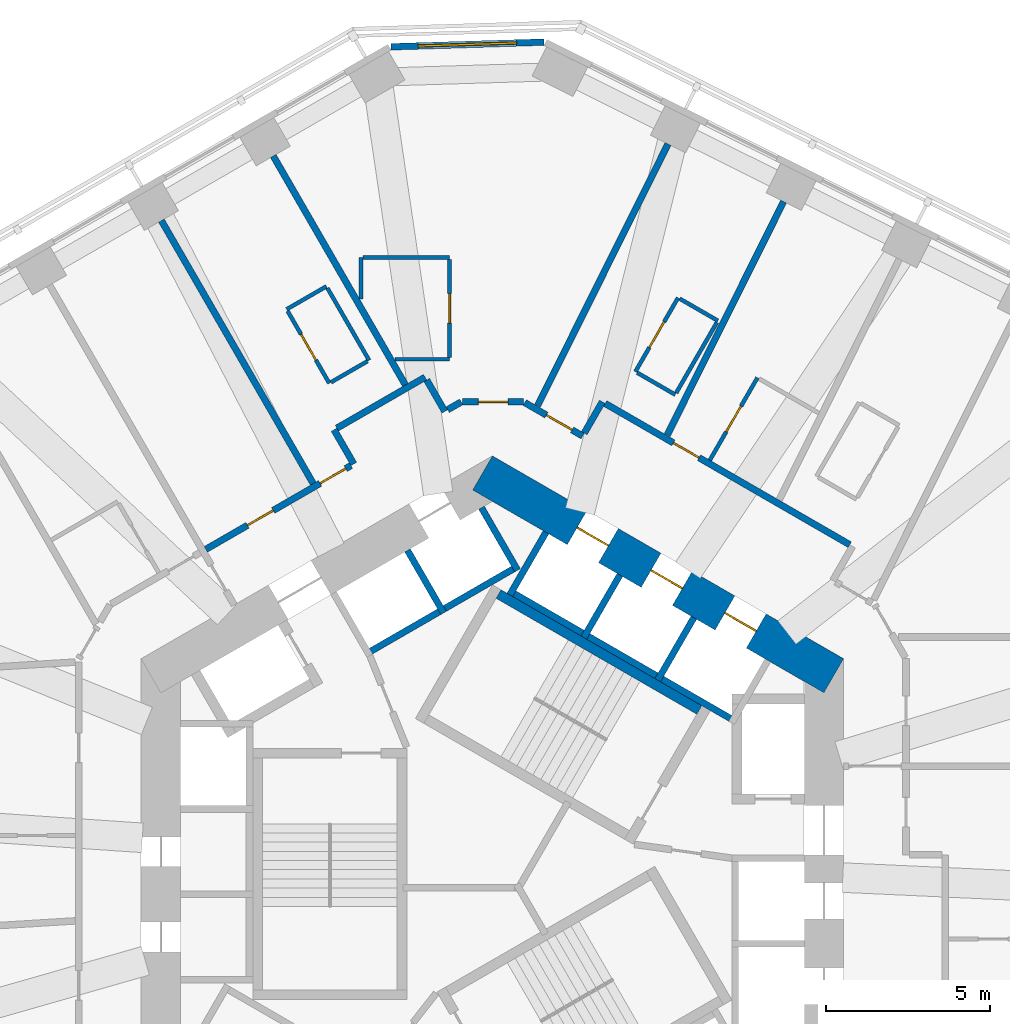
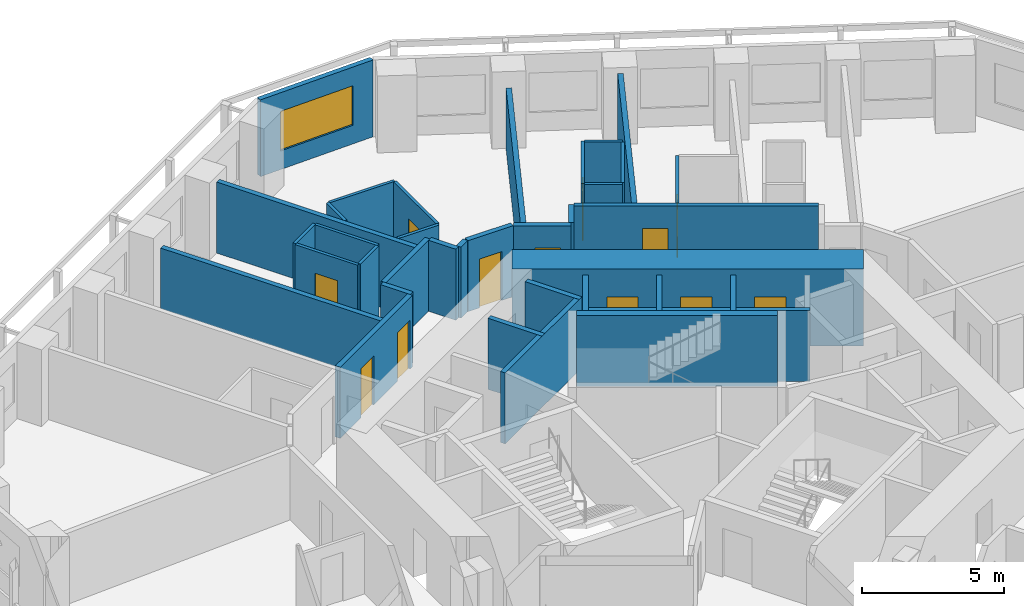
# One storey, part 8 of 12: 36 walls, 12 doors, 1 window, 13 openings.
"""IFC4 building model written with IfcOpenShell, lengths in metres."""

from ifc_helpers import new_model, si_unit, direction, frame, frame_2d, origin, place, context, subcontext, project, spatial, rectangle, extrude, material, layer, layer_set, type_object, element, fill, save


model = new_model("IFC4")

# Units and contexts
model_context = context("Model", 3, precision=1e-05, world=origin(), true_north=direction((0.0, 1.0)))
body_context = subcontext(model_context, "Body", "Model", "MODEL_VIEW")
ifc_project = project(units=[si_unit("LENGTHUNIT", "METRE"), si_unit("AREAUNIT", "SQUARE_METRE"), si_unit("VOLUMEUNIT", "CUBIC_METRE"), si_unit("PLANEANGLEUNIT", "RADIAN"), si_unit("MASSUNIT", "GRAM", prefix="KILO")], contexts=[model_context])

# Site, building, storey
site_placement = place(None, origin())
site = spatial("IfcSite", under=ifc_project, at=site_placement, CompositionType="ELEMENT")
building_placement = place(site_placement, origin())
building = spatial("IfcBuilding", under=site, at=building_placement, Name="Vanh Sen Convention Tower", CompositionType="ELEMENT")
storey_placement = place(building_placement, frame((0.0, 0.0, 70.39990234375)))
storey = spatial("IfcBuildingStorey", under=building, at=storey_placement, Name="L15", CompositionType="ELEMENT", Elevation=70.39990234375)

# Walls
ifc_material_1 = material(Name="Moisture-resistant gypsum board on steel studs", Category="steel")
ifc_layer_1 = layer(ifc_material_1, 0.1201171875)
ifc_layer_set_1 = layer_set([ifc_layer_1], Name="Moisture-resistant gypsum board on steel studs")
wall_type_1 = type_object("IfcWallType", Name="Bathroom partition 120", PredefinedType="PARTITIONING", material=ifc_layer_set_1)
wall_1_placement = place(storey_placement, frame((-6.268310546875, 16.8203125, 0.0), z_axis=(0.0, 0.0, 1.0), x_axis=(0.866002662425, 0.500039387122, 0.0)))
element("IfcWall", 1, at=wall_1_placement, inside=storey, type_object=wall_type_1, Name="Bathroom partition 120", PredefinedType="PARTITIONING", context=body_context, shape_type="SweptSolid", body=[
    extrude(rectangle(XDim=1.400390625, YDim=0.1201171875, at=frame_2d((0.7001953125, 0.0))), origin(), (0.0, 0.0, 1.0), 3.050048828125),
])
wall_2_placement = place(storey_placement, frame((-5.025634765625, 17.468505859375, 0.0), z_axis=(0.0, 0.0, 1.0), x_axis=(0.500005339912, -0.866022320763, 0.0)))
element("IfcWall", 2, at=wall_2_placement, inside=storey, type_object=wall_type_1, Name="Bathroom partition 120", PredefinedType="PARTITIONING", context=body_context, shape_type="SweptSolid", body=[
    extrude(rectangle(XDim=2.5400390625, YDim=0.1201171875, at=frame_2d((1.27001953125, 0.0))), origin(), (0.0, 0.0, 1.0), 3.050048828125),
])

# Wall, opening, door
wall_3_placement = place(storey_placement, frame((-4.96826171875, 14.56884765625, 0.0), z_axis=(0.0, 0.0, 1.0), x_axis=(-0.500046963369, 0.865998287773, 0.0)))
wall_3 = element("IfcWall", 3, at=wall_3_placement, inside=storey, type_object=wall_type_1, Name="Bathroom partition 120", PredefinedType="PARTITIONING", context=body_context, shape_type="SweptSolid", body=[
    extrude(rectangle(XDim=2.539794921875, YDim=0.1201171875, at=frame_2d((1.27001953125, 0.0))), origin(), (0.0, 0.0, 1.0), 3.050048828125),
])
opening_1_placement = place(wall_3_placement, frame((0.820068359375, 0.0, 0.0)))
opening_1 = element("IfcOpeningElement", 4, at=opening_1_placement, cuts=wall_3, Name="Opening D13114", PredefinedType="OPENING", context=body_context, shape_type="SweptSolid", body=[
    extrude(rectangle(XDim=0.89990234375, YDim=2.10009765625, at=frame_2d((0.449951171875, 1.050048828125))), frame((0.0, 0.070068359375, 0.0), z_axis=(0.0, -1.0, 0.0), x_axis=(1.0, 0.0, 0.0)), (0.0, 0.0, 1.0), 0.14013671875),
])
ifc_material_2 = material(Name="Laminate door in steel frame", Category="steel")
door_type_1 = type_object("IfcDoorType", Name="En-suite door 900", OperationType="SINGLE_SWING_LEFT", PredefinedType="DOOR", material=ifc_material_2)
door_1_placement = place(opening_1_placement, origin())
door_1 = element("IfcDoor", 5, at=door_1_placement, inside=storey, type_object=door_type_1, Name="En-suite door D13114", OperationType="SINGLE_SWING_LEFT", OverallHeight=2.10009765625, OverallWidth=0.89990234375, PredefinedType="DOOR", context=body_context, shape_type="SweptSolid", body=[
    extrude(rectangle(XDim=0.89990234375, YDim=2.10009765625, at=frame_2d((0.449951171875, 1.050048828125))), frame((0.0, 0.02490234375, 0.0), z_axis=(0.0, -1.0, 0.0), x_axis=(1.0, 0.0, 0.0)), (0.0, 0.0, 1.0), 0.050048828125),
])
fill(opening_1, door_1)

# Walls
wall_4_placement = place(storey_placement, frame((-4.0, 17.137451171875, 0.0), z_axis=(0.0, 0.0, 1.0), x_axis=(0.0, 1.0, 0.0)))
element("IfcWall", 6, at=wall_4_placement, inside=storey, type_object=wall_type_1, Name="Bathroom partition 120", PredefinedType="PARTITIONING", context=body_context, shape_type="SweptSolid", body=[
    extrude(rectangle(XDim=1.26318359375, YDim=0.1201171875, at=frame_2d((0.631591796875, 0.0))), origin(), (0.0, 0.0, 1.0), 3.050048828125),
])
wall_5_placement = place(storey_placement, frame((-3.93994140625, 18.400634765625, 0.0), z_axis=(0.0, 0.0, 1.0), x_axis=(1.0, 0.0, 0.0)))
element("IfcWall", 7, at=wall_5_placement, inside=storey, type_object=wall_type_1, Name="Bathroom partition 120", PredefinedType="PARTITIONING", context=body_context, shape_type="SweptSolid", body=[
    extrude(rectangle(XDim=2.639892578125, YDim=0.1201171875, at=frame_2d((1.31982421875, 0.0))), origin(), (0.0, 0.0, 1.0), 3.050048828125),
])
wall_6_placement = place(storey_placement, frame((-3.8076171875, 15.23876953125, 0.0), z_axis=(0.0, 0.0, 1.0), x_axis=(-0.866087136806, -0.499893060024, 0.0)))
element("IfcWall", 8, at=wall_6_placement, inside=storey, type_object=wall_type_1, Name="Bathroom partition 120", PredefinedType="PARTITIONING", context=body_context, shape_type="SweptSolid", body=[
    extrude(rectangle(XDim=1.280029296875, YDim=0.1201171875, at=frame_2d((0.64013671875, 0.0))), origin(), (0.0, 0.0, 1.0), 3.050048828125),
])
wall_7_placement = place(storey_placement, frame((-1.300048828125, 15.30078125, 0.0), z_axis=(0.0, 0.0, 1.0), x_axis=(-1.0, 0.0, 0.0)))
element("IfcWall", 9, at=wall_7_placement, inside=storey, type_object=wall_type_1, Name="Bathroom partition 120", PredefinedType="PARTITIONING", context=body_context, shape_type="SweptSolid", body=[
    extrude(rectangle(XDim=1.6611328125, YDim=0.1201171875, at=frame_2d((0.83056640625, 0.0))), origin(), (0.0, 0.0, 1.0), 3.050048828125),
])

# Wall, opening, door
wall_8_placement = place(storey_placement, frame((-1.300048828125, 18.3408203125, 0.0), z_axis=(0.0, 0.0, 1.0), x_axis=(0.0, -1.0, 0.0)))
wall_8 = element("IfcWall", 10, at=wall_8_placement, inside=storey, type_object=wall_type_1, Name="Bathroom partition 120", PredefinedType="PARTITIONING", context=body_context, shape_type="SweptSolid", body=[
    extrude(rectangle(XDim=2.980224609375, YDim=0.1201171875, at=frame_2d((1.490234375, 0.0))), origin(), (0.0, 0.0, 1.0), 3.050048828125),
])
opening_2_placement = place(wall_8_placement, frame((1.0400390625, 0.0, 0.0)))
opening_2 = element("IfcOpeningElement", 11, at=opening_2_placement, cuts=wall_8, Name="Opening D13112", PredefinedType="OPENING", context=body_context, shape_type="SweptSolid", body=[
    extrude(rectangle(XDim=0.89990234375, YDim=2.10009765625, at=frame_2d((0.449951171875, 1.050048828125))), frame((0.0, 0.070068359375, 0.0), z_axis=(0.0, -1.0, 0.0), x_axis=(1.0, 0.0, 0.0)), (0.0, 0.0, 1.0), 0.14013671875),
])
door_2_placement = place(opening_2_placement, origin())
door_2 = element("IfcDoor", 12, at=door_2_placement, inside=storey, type_object=door_type_1, Name="En-suite door D13112", OperationType="SINGLE_SWING_LEFT", OverallHeight=2.10009765625, OverallWidth=0.89990234375, PredefinedType="DOOR", context=body_context, shape_type="SweptSolid", body=[
    extrude(rectangle(XDim=0.89990234375, YDim=2.10009765625, at=frame_2d((0.449951171875, 1.050048828125))), frame((0.0, 0.02490234375, 0.0), z_axis=(0.0, -1.0, 0.0), x_axis=(1.0, 0.0, 0.0)), (0.0, 0.0, 1.0), 0.050048828125),
])
fill(opening_2, door_2)

wall_9_placement = place(storey_placement, frame((4.356201171875, 14.922119140625, 0.0), z_axis=(0.0, 0.0, 1.0), x_axis=(0.499936506574, 0.866062058628, 0.0)))
wall_9 = element("IfcWall", 13, at=wall_9_placement, inside=storey, type_object=wall_type_1, Name="Bathroom partition 120", PredefinedType="PARTITIONING", context=body_context, shape_type="SweptSolid", body=[
    extrude(rectangle(XDim=2.599853515625, YDim=0.1201171875, at=frame_2d((1.2998046875, 0.0))), origin(), (0.0, 0.0, 1.0), 3.050048828125),
])
opening_3_placement = place(wall_9_placement, frame((0.85009765625, 0.0, 0.0)))
opening_3 = element("IfcOpeningElement", 14, at=opening_3_placement, cuts=wall_9, Name="Opening D13110", PredefinedType="OPENING", context=body_context, shape_type="SweptSolid", body=[
    extrude(rectangle(XDim=0.89990234375, YDim=2.10009765625, at=frame_2d((0.449951171875, 1.050048828125))), frame((0.0, 0.070068359375, 0.0), z_axis=(0.0, -1.0, 0.0), x_axis=(1.0, 0.0, 0.0)), (0.0, 0.0, 1.0), 0.14013671875),
])
door_3_placement = place(opening_3_placement, origin())
door_3 = element("IfcDoor", 15, at=door_3_placement, inside=storey, type_object=door_type_1, Name="En-suite door D13110", OperationType="SINGLE_SWING_LEFT", OverallHeight=2.10009765625, OverallWidth=0.89990234375, PredefinedType="DOOR", context=body_context, shape_type="SweptSolid", body=[
    extrude(rectangle(XDim=0.89990234375, YDim=2.10009765625, at=frame_2d((0.449951171875, 1.050048828125))), frame((0.0, 0.02490234375, 0.0), z_axis=(0.0, -1.0, 0.0), x_axis=(1.0, 0.0, 0.0)), (0.0, 0.0, 1.0), 0.050048828125),
])
fill(opening_3, door_3)

# Walls
wall_10_placement = place(storey_placement, frame((5.568603515625, 14.22216796875, 0.0), z_axis=(0.0, 0.0, 1.0), x_axis=(-0.866036909293, 0.499980071345, 0.0)))
element("IfcWall", 16, at=wall_10_placement, inside=storey, type_object=wall_type_1, Name="Bathroom partition 120", PredefinedType="PARTITIONING", context=body_context, shape_type="SweptSolid", body=[
    extrude(rectangle(XDim=1.33984375, YDim=0.1201171875, at=frame_2d((0.669921875, 0.0))), origin(), (0.0, 0.0, 1.0), 3.050048828125),
])
wall_11_placement = place(storey_placement, frame((5.7080078125, 17.143798828125, 0.0), z_axis=(0.0, 0.0, 1.0), x_axis=(0.866082447003, -0.499901185229, 0.0)))
element("IfcWall", 17, at=wall_11_placement, inside=storey, type_object=wall_type_1, Name="Bathroom partition 120", PredefinedType="PARTITIONING", context=body_context, shape_type="SweptSolid", body=[
    extrude(rectangle(XDim=1.340087890625, YDim=0.1201171875, at=frame_2d((0.669921875, 0.0))), origin(), (0.0, 0.0, 1.0), 3.050048828125),
])

# Wall, opening, door
wall_12_placement = place(storey_placement, frame((6.624755859375, 12.226806640625, 0.0), z_axis=(0.0, 0.0, 1.0), x_axis=(0.500023687443, 0.866011727401, 0.0)))
wall_12 = element("IfcWall", 18, at=wall_12_placement, inside=storey, type_object=wall_type_1, Name="Bathroom partition 120", PredefinedType="PARTITIONING", context=body_context, shape_type="SweptSolid", body=[
    extrude(rectangle(XDim=2.899658203125, YDim=0.1201171875, at=frame_2d((1.44970703125, 0.0))), origin(), (0.0, 0.0, 1.0), 3.050048828125),
])
opening_4_placement = place(wall_12_placement, frame((1.0, 0.0, 0.0)))
opening_4 = element("IfcOpeningElement", 19, at=opening_4_placement, cuts=wall_12, Name="Opening D13108", PredefinedType="OPENING", context=body_context, shape_type="SweptSolid", body=[
    extrude(rectangle(XDim=0.89990234375, YDim=2.10009765625, at=frame_2d((0.449951171875, 1.050048828125))), frame((0.0, 0.070068359375, 0.0), z_axis=(0.0, -1.0, 0.0), x_axis=(1.0, 0.0, 0.0)), (0.0, 0.0, 1.0), 0.14013671875),
])
door_4_placement = place(opening_4_placement, origin())
door_4 = element("IfcDoor", 20, at=door_4_placement, inside=storey, type_object=door_type_1, Name="En-suite door D13108", OperationType="SINGLE_SWING_LEFT", OverallHeight=2.10009765625, OverallWidth=0.89990234375, PredefinedType="DOOR", context=body_context, shape_type="SweptSolid", body=[
    extrude(rectangle(XDim=0.89990234375, YDim=2.10009765625, at=frame_2d((0.449951171875, 1.050048828125))), frame((0.0, 0.02490234375, 0.0), z_axis=(0.0, -1.0, 0.0), x_axis=(1.0, 0.0, 0.0)), (0.0, 0.0, 1.0), 0.050048828125),
])
fill(opening_4, door_4)

# Wall
wall_13_placement = place(storey_placement, frame((6.838623046875, 16.421875, 0.0), z_axis=(0.0, 0.0, 1.0), x_axis=(-0.50000366821, -0.866023285932, 0.0)))
element("IfcWall", 21, at=wall_13_placement, inside=storey, type_object=wall_type_1, Name="Bathroom partition 120", PredefinedType="PARTITIONING", context=body_context, shape_type="SweptSolid", body=[
    extrude(rectangle(XDim=2.47998046875, YDim=0.1201171875, at=frame_2d((1.239990234375, 0.0))), origin(), (0.0, 0.0, 1.0), 3.050048828125),
])

# Wall, openings, doors
ifc_material_3 = material(Name="Concrete C80/95", Category="concrete")
ifc_layer_2 = layer(ifc_material_3, 1.199951171875)
ifc_layer_set_2 = layer_set([ifc_layer_2], Name="Concrete C80/95")
wall_type_2 = type_object("IfcWallType", Name="Core outer wall 1200 C80/95", PredefinedType="SHEAR", material=ifc_layer_set_2)
wall_14_placement = place(storey_placement, frame((10.39990234375, 5.657958984375, 0.0), z_axis=(0.0, 0.0, 1.0), x_axis=(-0.866021384402, 0.500006961711, 0.0)))
wall_14 = element("IfcWall", 22, at=wall_14_placement, inside=storey, type_object=wall_type_2, Name="Core wall face NE L15", PredefinedType="SHEAR", context=body_context, shape_type="SweptSolid", body=[
    extrude(rectangle(XDim=12.355224609375, YDim=1.199951171875, at=frame_2d((6.177734375, 0.0))), origin(), (0.0, 0.0, 1.0), 3.300048828125),
])
opening_5_placement = place(wall_14_placement, frame((2.727783203125, 0.0, 0.0)))
opening_5 = element("IfcOpeningElement", 23, at=opening_5_placement, cuts=wall_14, Name="Opening LD-LR3", PredefinedType="OPENING", context=body_context, shape_type="SweptSolid", body=[
    extrude(rectangle(XDim=1.10009765625, YDim=2.10009765625, at=frame_2d((0.550048828125, 1.050048828125))), frame((0.0, 0.60986328125, 0.0), z_axis=(0.0, -1.0, 0.0), x_axis=(1.0, 0.0, 0.0)), (0.0, 0.0, 1.0), 1.219970703125),
])
opening_6_placement = place(wall_14_placement, frame((5.32763671875, 0.0, 0.0)))
opening_6 = element("IfcOpeningElement", 24, at=opening_6_placement, cuts=wall_14, Name="Opening LD-LR4", PredefinedType="OPENING", context=body_context, shape_type="SweptSolid", body=[
    extrude(rectangle(XDim=1.10009765625, YDim=2.10009765625, at=frame_2d((0.550048828125, 1.050048828125))), frame((0.0, 0.60986328125, 0.0), z_axis=(0.0, -1.0, 0.0), x_axis=(1.0, 0.0, 0.0)), (0.0, 0.0, 1.0), 1.219970703125),
])
opening_7_placement = place(wall_14_placement, frame((7.927734375, 0.0, 0.0)))
opening_7 = element("IfcOpeningElement", 25, at=opening_7_placement, cuts=wall_14, Name="Opening LD-LR5", PredefinedType="OPENING", context=body_context, shape_type="SweptSolid", body=[
    extrude(rectangle(XDim=1.10009765625, YDim=2.10009765625, at=frame_2d((0.550048828125, 1.050048828125))), frame((0.0, 0.60986328125, 0.0), z_axis=(0.0, -1.0, 0.0), x_axis=(1.0, 0.0, 0.0)), (0.0, 0.0, 1.0), 1.219970703125),
])
ifc_material_4 = material(Name="Stainless steel", Category="steel")
door_type_2 = type_object("IfcDoorType", Name="Lift landing door 1100", OperationType="DOUBLE_DOOR_SLIDING", PredefinedType="DOOR", material=ifc_material_4)
door_5_placement = place(opening_5_placement, origin())
door_5 = element("IfcDoor", 26, at=door_5_placement, inside=storey, type_object=door_type_2, Name="Lift LR3 landing door LD-LR3", OperationType="DOUBLE_DOOR_SLIDING", OverallHeight=2.10009765625, OverallWidth=1.10009765625, PredefinedType="DOOR", context=body_context, shape_type="SweptSolid", body=[
    extrude(rectangle(XDim=1.10009765625, YDim=2.10009765625, at=frame_2d((0.550048828125, 1.050048828125))), frame((0.0, 0.02490234375, 0.0), z_axis=(0.0, -1.0, 0.0), x_axis=(1.0, 0.0, 0.0)), (0.0, 0.0, 1.0), 0.050048828125),
])
fill(opening_5, door_5)
door_6_placement = place(opening_6_placement, origin())
door_6 = element("IfcDoor", 27, at=door_6_placement, inside=storey, type_object=door_type_2, Name="Lift LR4 landing door LD-LR4", OperationType="DOUBLE_DOOR_SLIDING", OverallHeight=2.10009765625, OverallWidth=1.10009765625, PredefinedType="DOOR", context=body_context, shape_type="SweptSolid", body=[
    extrude(rectangle(XDim=1.10009765625, YDim=2.10009765625, at=frame_2d((0.550048828125, 1.050048828125))), frame((0.0, 0.02490234375, 0.0), z_axis=(0.0, -1.0, 0.0), x_axis=(1.0, 0.0, 0.0)), (0.0, 0.0, 1.0), 0.050048828125),
])
fill(opening_6, door_6)
door_7_placement = place(opening_7_placement, origin())
door_7 = element("IfcDoor", 28, at=door_7_placement, inside=storey, type_object=door_type_2, Name="Lift LR5 landing door LD-LR5", OperationType="DOUBLE_DOOR_SLIDING", OverallHeight=2.10009765625, OverallWidth=1.10009765625, PredefinedType="DOOR", context=body_context, shape_type="SweptSolid", body=[
    extrude(rectangle(XDim=1.10009765625, YDim=2.10009765625, at=frame_2d((0.550048828125, 1.050048828125))), frame((0.0, 0.02490234375, 0.0), z_axis=(0.0, -1.0, 0.0), x_axis=(1.0, 0.0, 0.0)), (0.0, 0.0, 1.0), 0.050048828125),
])
fill(opening_7, door_7)

# Wall
ifc_material_5 = material(Name="Gypsum board on steel studs with mineral wool", Category="steel")
ifc_layer_3 = layer(ifc_material_5, 0.199951171875)
ifc_layer_set_3 = layer_set([ifc_layer_3], Name="Gypsum board on steel studs with mineral wool")
wall_type_3 = type_object("IfcWallType", Name="Corridor partition wall 200", PredefinedType="PARTITIONING", material=ifc_layer_set_3)
wall_15_placement = place(storey_placement, frame((-4.822998046875, 13.151611328125, 0.0), z_axis=(0.0, 0.0, 1.0), x_axis=(0.499986357472, -0.866033280158, 0.0)))
element("IfcWall", 29, at=wall_15_placement, inside=storey, type_object=wall_type_3, Name="Corridor partition wall 200", PredefinedType="PARTITIONING", context=body_context, shape_type="SweptSolid", body=[
    extrude(rectangle(XDim=1.201171875, YDim=0.199951171875, at=frame_2d((0.6005859375, 0.0))), origin(), (0.0, 0.0, 1.0), 3.050048828125),
])

# Wall, openings, doors
wall_16_placement = place(storey_placement, frame((-4.30908203125, 12.061279296875, 0.0), z_axis=(0.0, 0.0, 1.0), x_axis=(-0.866020679205, -0.500008183122, 0.0)))
wall_16 = element("IfcWall", 30, at=wall_16_placement, inside=storey, type_object=wall_type_3, Name="Corridor partition wall 200", PredefinedType="PARTITIONING", context=body_context, shape_type="SweptSolid", body=[
    extrude(rectangle(XDim=5.103515625, YDim=0.199951171875, at=frame_2d((2.5517578125, 0.0))), origin(), (0.0, 0.0, 1.0), 3.050048828125),
])
opening_8_placement = place(wall_16_placement, frame((0.1845703125, 0.0, 0.0)))
opening_8 = element("IfcOpeningElement", 31, at=opening_8_placement, cuts=wall_16, Name="Opening D13113", PredefinedType="OPENING", context=body_context, shape_type="SweptSolid", body=[
    extrude(rectangle(XDim=0.89990234375, YDim=2.10009765625, at=frame_2d((0.449951171875, 1.050048828125))), frame((0.0, 0.10986328125, 0.0), z_axis=(0.0, -1.0, 0.0), x_axis=(1.0, 0.0, 0.0)), (0.0, 0.0, 1.0), 0.219970703125),
])
opening_9_placement = place(wall_16_placement, frame((2.736083984375, 0.0, 0.0)))
opening_9 = element("IfcOpeningElement", 32, at=opening_9_placement, cuts=wall_16, Name="Opening D13115", PredefinedType="OPENING", context=body_context, shape_type="SweptSolid", body=[
    extrude(rectangle(XDim=0.89990234375, YDim=2.10009765625, at=frame_2d((0.449951171875, 1.050048828125))), frame((0.0, 0.10986328125, 0.0), z_axis=(0.0, -1.0, 0.0), x_axis=(1.0, 0.0, 0.0)), (0.0, 0.0, 1.0), 0.219970703125),
])
ifc_material_6 = material(Name="Timber fire door in steel frame", Category="steel")
door_type_3 = type_object("IfcDoorType", Name="Floor service door 900", OperationType="SINGLE_SWING_LEFT", PredefinedType="DOOR", material=ifc_material_6)
door_8_placement = place(opening_9_placement, origin())
door_8 = element("IfcDoor", 33, at=door_8_placement, inside=storey, type_object=door_type_3, Name="Service room door D13115", OperationType="SINGLE_SWING_LEFT", OverallHeight=2.10009765625, OverallWidth=0.89990234375, PredefinedType="DOOR", context=body_context, shape_type="SweptSolid", body=[
    extrude(rectangle(XDim=0.89990234375, YDim=2.10009765625, at=frame_2d((0.449951171875, 1.050048828125))), frame((0.0, 0.02490234375, 0.0), z_axis=(0.0, -1.0, 0.0), x_axis=(1.0, 0.0, 0.0)), (0.0, 0.0, 1.0), 0.050048828125),
])
fill(opening_9, door_8)
door_type_4 = type_object("IfcDoorType", Name="Guest room door 900", OperationType="SINGLE_SWING_LEFT", PredefinedType="DOOR", material=ifc_material_6)
door_9_placement = place(opening_8_placement, origin())
door_9 = element("IfcDoor", 34, at=door_9_placement, inside=storey, type_object=door_type_4, Name="Hotel guest room door D13113", OperationType="SINGLE_SWING_LEFT", OverallHeight=2.10009765625, OverallWidth=0.89990234375, PredefinedType="DOOR", context=body_context, shape_type="SweptSolid", body=[
    extrude(rectangle(XDim=0.89990234375, YDim=2.10009765625, at=frame_2d((0.449951171875, 1.050048828125))), frame((0.0, 0.02490234375, 0.0), z_axis=(0.0, -1.0, 0.0), x_axis=(1.0, 0.0, 0.0)), (0.0, 0.0, 1.0), 0.050048828125),
])
fill(opening_8, door_9)

# Walls
wall_17_placement = place(storey_placement, frame((-2.0498046875, 14.75244140625, 0.0), z_axis=(0.0, 0.0, 1.0), x_axis=(-0.866030936828, -0.499990416364, 0.0)))
element("IfcWall", 35, at=wall_17_placement, inside=storey, type_object=wall_type_3, Name="Corridor partition wall 200", PredefinedType="PARTITIONING", context=body_context, shape_type="SweptSolid", body=[
    extrude(rectangle(XDim=3.10205078125, YDim=0.199951171875, at=frame_2d((1.551025390625, 0.0))), origin(), (0.0, 0.0, 1.0), 3.050048828125),
])
wall_18_placement = place(storey_placement, frame((-1.449462890625, 13.71240234375, 0.0), z_axis=(0.0, 0.0, 1.0), x_axis=(-0.499978356969, 0.866037899034, 0.0)))
element("IfcWall", 36, at=wall_18_placement, inside=storey, type_object=wall_type_3, Name="Corridor partition wall 200", PredefinedType="PARTITIONING", context=body_context, shape_type="SweptSolid", body=[
    extrude(rectangle(XDim=1.10107421875, YDim=0.199951171875, at=frame_2d((0.550537109375, 0.0))), origin(), (0.0, 0.0, 1.0), 3.050048828125),
])
wall_19_placement = place(storey_placement, frame((-0.949951171875, 14.000732421875, 0.0), z_axis=(0.0, 0.0, 1.0), x_axis=(-0.86609177584, -0.499885022602, 0.0)))
element("IfcWall", 37, at=wall_19_placement, inside=storey, type_object=wall_type_3, Name="Corridor partition wall 200", PredefinedType="PARTITIONING", context=body_context, shape_type="SweptSolid", body=[
    extrude(rectangle(XDim=0.4765625, YDim=0.199951171875, at=frame_2d((0.23828125, 0.0))), origin(), (0.0, 0.0, 1.0), 3.050048828125),
])

# Wall, opening, door
wall_20_placement = place(storey_placement, frame((0.949951171875, 14.000732421875, 0.0), z_axis=(0.0, 0.0, 1.0), x_axis=(-1.0, 0.0, 0.0)))
wall_20 = element("IfcWall", 38, at=wall_20_placement, inside=storey, type_object=wall_type_3, Name="Corridor partition wall 200", PredefinedType="PARTITIONING", context=body_context, shape_type="SweptSolid", body=[
    extrude(rectangle(XDim=1.85986328125, YDim=0.199951171875, at=frame_2d((0.929931640625, 0.0))), origin(), (0.0, 0.0, 1.0), 3.050048828125),
])
opening_10_placement = place(wall_20_placement, frame((0.47998046875, 0.0, 0.0)))
opening_10 = element("IfcOpeningElement", 39, at=opening_10_placement, cuts=wall_20, Name="Opening D13111", PredefinedType="OPENING", context=body_context, shape_type="SweptSolid", body=[
    extrude(rectangle(XDim=0.89990234375, YDim=2.10009765625, at=frame_2d((0.449951171875, 1.050048828125))), frame((0.0, 0.10986328125, 0.0), z_axis=(0.0, -1.0, 0.0), x_axis=(1.0, 0.0, 0.0)), (0.0, 0.0, 1.0), 0.219970703125),
])
door_10_placement = place(opening_10_placement, origin())
door_10 = element("IfcDoor", 40, at=door_10_placement, inside=storey, type_object=door_type_4, Name="Hotel guest room door D13111", OperationType="SINGLE_SWING_LEFT", OverallHeight=2.10009765625, OverallWidth=0.89990234375, PredefinedType="DOOR", context=body_context, shape_type="SweptSolid", body=[
    extrude(rectangle(XDim=0.89990234375, YDim=2.10009765625, at=frame_2d((0.449951171875, 1.050048828125))), frame((0.0, 0.02490234375, 0.0), z_axis=(0.0, -1.0, 0.0), x_axis=(1.0, 0.0, 0.0)), (0.0, 0.0, 1.0), 0.050048828125),
])
fill(opening_10, door_10)

wall_21_placement = place(storey_placement, frame((2.748291015625, 12.96240234375, 0.0), z_axis=(0.0, 0.0, 1.0), x_axis=(-0.866013897511, 0.50001992892, 0.0)))
wall_21 = element("IfcWall", 41, at=wall_21_placement, inside=storey, type_object=wall_type_3, Name="Corridor partition wall 200", PredefinedType="PARTITIONING", context=body_context, shape_type="SweptSolid", body=[
    extrude(rectangle(XDim=2.03662109375, YDim=0.199951171875, at=frame_2d((1.018310546875, 0.0))), origin(), (0.0, 0.0, 1.0), 3.050048828125),
])
opening_11_placement = place(wall_21_placement, frame((0.371826171875, 0.0, 0.0)))
opening_11 = element("IfcOpeningElement", 42, at=opening_11_placement, cuts=wall_21, Name="Opening D13109", PredefinedType="OPENING", context=body_context, shape_type="SweptSolid", body=[
    extrude(rectangle(XDim=0.89990234375, YDim=2.10009765625, at=frame_2d((0.449951171875, 1.050048828125))), frame((0.0, 0.10986328125, 0.0), z_axis=(0.0, -1.0, 0.0), x_axis=(1.0, 0.0, 0.0)), (0.0, 0.0, 1.0), 0.219970703125),
])
door_11_placement = place(opening_11_placement, origin())
door_11 = element("IfcDoor", 43, at=door_11_placement, inside=storey, type_object=door_type_4, Name="Hotel guest room door D13109", OperationType="SINGLE_SWING_LEFT", OverallHeight=2.10009765625, OverallWidth=0.89990234375, PredefinedType="DOOR", context=body_context, shape_type="SweptSolid", body=[
    extrude(rectangle(XDim=0.89990234375, YDim=2.10009765625, at=frame_2d((0.449951171875, 1.050048828125))), frame((0.0, 0.02490234375, 0.0), z_axis=(0.0, -1.0, 0.0), x_axis=(1.0, 0.0, 0.0)), (0.0, 0.0, 1.0), 0.050048828125),
])
fill(opening_11, door_11)

# Wall
wall_22_placement = place(storey_placement, frame((3.348876953125, 14.00244140625, 0.0), z_axis=(0.0, 0.0, 1.0), x_axis=(-0.500074377092, -0.865982457891, 0.0)))
element("IfcWall", 44, at=wall_22_placement, inside=storey, type_object=wall_type_3, Name="Corridor partition wall 200", PredefinedType="PARTITIONING", context=body_context, shape_type="SweptSolid", body=[
    extrude(rectangle(XDim=1.100830078125, YDim=0.199951171875, at=frame_2d((0.55029296875, 0.0))), origin(), (0.0, 0.0, 1.0), 3.050048828125),
])

# Wall, opening, door
wall_23_placement = place(storey_placement, frame((10.885009765625, 9.651611328125, 0.0), z_axis=(0.0, 0.0, 1.0), x_axis=(-0.866033868542, 0.499985338323, 0.0)))
wall_23 = element("IfcWall", 45, at=wall_23_placement, inside=storey, type_object=wall_type_3, Name="Corridor partition wall 200", PredefinedType="PARTITIONING", context=body_context, shape_type="SweptSolid", body=[
    extrude(rectangle(XDim=8.601806640625, YDim=0.199951171875, at=frame_2d((4.30078125, 0.0))), origin(), (0.0, 0.0, 1.0), 3.050048828125),
])
opening_12_placement = place(wall_23_placement, frame((5.302001953125, 0.0, 0.0)))
opening_12 = element("IfcOpeningElement", 46, at=opening_12_placement, cuts=wall_23, Name="Opening D13107", PredefinedType="OPENING", context=body_context, shape_type="SweptSolid", body=[
    extrude(rectangle(XDim=0.89990234375, YDim=2.10009765625, at=frame_2d((0.449951171875, 1.050048828125))), frame((0.0, 0.10986328125, 0.0), z_axis=(0.0, -1.0, 0.0), x_axis=(1.0, 0.0, 0.0)), (0.0, 0.0, 1.0), 0.219970703125),
])
door_12_placement = place(opening_12_placement, origin())
door_12 = element("IfcDoor", 47, at=door_12_placement, inside=storey, type_object=door_type_4, Name="Hotel guest room door D13107", OperationType="SINGLE_SWING_LEFT", OverallHeight=2.10009765625, OverallWidth=0.89990234375, PredefinedType="DOOR", context=body_context, shape_type="SweptSolid", body=[
    extrude(rectangle(XDim=0.89990234375, YDim=2.10009765625, at=frame_2d((0.449951171875, 1.050048828125))), frame((0.0, 0.02490234375, 0.0), z_axis=(0.0, -1.0, 0.0), x_axis=(1.0, 0.0, 0.0)), (0.0, 0.0, 1.0), 0.050048828125),
])
fill(opening_12, door_12)

# Wall, opening, window
ifc_material_7 = material(Name="Insulated lightweight infill wall")
ifc_layer_4 = layer(ifc_material_7, 0.199951171875)
ifc_layer_set_4 = layer_set([ifc_layer_4], Name="Insulated lightweight infill wall")
wall_type_4 = type_object("IfcWallType", Name="External wall 200", PredefinedType="STANDARD", material=ifc_layer_set_4)
wall_24_placement = place(storey_placement, frame((1.568359375, 24.9609375, 0.0), z_axis=(0.0, 0.0, 1.0), x_axis=(-0.999533359013, -0.030546099927, 0.0)))
wall_24 = element("IfcWall", 48, at=wall_24_placement, inside=storey, type_object=wall_type_4, Name="External wall CH2 L15", PredefinedType="STANDARD", context=body_context, shape_type="SweptSolid", body=[
    extrude(rectangle(XDim=4.65966796875, YDim=0.199951171875, at=frame_2d((2.329833984375, 0.0))), origin(), (0.0, 0.0, 1.0), 3.300048828125),
])
opening_13_placement = place(wall_24_placement, frame((0.829833984375, 0.0, 0.800048828125)))
opening_13 = element("IfcOpeningElement", 49, at=opening_13_placement, cuts=wall_24, Name="Opening WH2-CH21", PredefinedType="OPENING", context=body_context, shape_type="SweptSolid", body=[
    extrude(rectangle(XDim=3.0, YDim=1.699951171875, at=frame_2d((1.5, 0.85009765625))), frame((0.0, 0.10986328125, 0.0), z_axis=(0.0, -1.0, 0.0), x_axis=(1.0, 0.0, 0.0)), (0.0, 0.0, 1.0), 0.219970703125),
])
ifc_material_8 = material(Name="Aluminium frame with clear low-emissivity glass", Category="aluminium")
window_type = type_object("IfcWindowType", Name="Hotel window 3000 x 1700", PartitioningType="SINGLE_PANEL", PredefinedType="WINDOW", material=ifc_material_8)
window_placement = place(opening_13_placement, origin())
window = element("IfcWindow", 50, at=window_placement, inside=storey, type_object=window_type, Name="Window WH2-CH21", OverallHeight=1.699951171875, OverallWidth=3.0, PartitioningType="SINGLE_PANEL", PredefinedType="WINDOW", context=body_context, shape_type="SweptSolid", body=[
    extrude(rectangle(XDim=3.0, YDim=1.699951171875, at=frame_2d((1.5, 0.85009765625))), frame((0.0, 0.030029296875, 0.0), z_axis=(0.0, -1.0, 0.0), x_axis=(1.0, 0.0, 0.0)), (0.0, 0.0, 1.0), 0.06005859375),
])
fill(opening_13, window)

# Walls
ifc_layer_5 = layer(ifc_material_5, 0.199951171875)
ifc_layer_set_5 = layer_set([ifc_layer_5], Name="Gypsum board on steel studs with mineral wool")
wall_type_5 = type_object("IfcWallType", Name="Hotel party wall 200", PredefinedType="PARTITIONING", material=ifc_layer_set_5)
wall_25_placement = place(storey_placement, frame((-10.0830078125, 19.5244140625, 0.0), z_axis=(0.0, 0.0, 1.0), x_axis=(0.499999662836, -0.866025598446, 0.0)))
element("IfcWall", 51, at=wall_25_placement, inside=storey, type_object=wall_type_5, Name="Hotel party wall 200", PredefinedType="PARTITIONING", context=body_context, shape_type="SweptSolid", body=[
    extrude(rectangle(XDim=9.25, YDim=0.199951171875, at=frame_2d((4.625, 0.0))), origin(), (0.0, 0.0, 1.0), 2.60009765625),
])
wall_26_placement = place(storey_placement, frame((-6.675537109375, 21.49169921875, 0.0), z_axis=(0.0, 0.0, 1.0), x_axis=(0.500011263043, -0.866018900966, 0.0)))
element("IfcWall", 52, at=wall_26_placement, inside=storey, type_object=wall_type_5, Name="Hotel party wall 200", PredefinedType="PARTITIONING", context=body_context, shape_type="SweptSolid", body=[
    extrude(rectangle(XDim=8.049072265625, YDim=0.199951171875, at=frame_2d((4.0244140625, 0.0))), origin(), (0.0, 0.0, 1.0), 3.050048828125),
])
wall_27_placement = place(storey_placement, frame((5.35107421875, 21.859130859375, 0.0), z_axis=(0.0, 0.0, 1.0), x_axis=(-0.446205309328, -0.894930624086, 0.0)))
element("IfcWall", 53, at=wall_27_placement, inside=storey, type_object=wall_type_5, Name="Hotel party wall 200", PredefinedType="PARTITIONING", context=body_context, shape_type="SweptSolid", body=[
    extrude(rectangle(XDim=8.9130859375, YDim=0.199951171875, at=frame_2d((4.45654296875, 0.0))), origin(), (0.0, 0.0, 1.0), 2.60009765625),
])
wall_28_placement = place(storey_placement, frame((8.872314453125, 20.103515625, 0.0), z_axis=(0.0, 0.0, 1.0), x_axis=(-0.446218378653, -0.894924107706, 0.0)))
element("IfcWall", 54, at=wall_28_placement, inside=storey, type_object=wall_type_5, Name="Hotel party wall 200", PredefinedType="PARTITIONING", context=body_context, shape_type="SweptSolid", body=[
    extrude(rectangle(XDim=7.950439453125, YDim=0.199951171875, at=frame_2d((3.97509765625, 0.0))), origin(), (0.0, 0.0, 1.0), 3.050048828125),
])
ifc_material_9 = material(Name="Concrete C40/50", Category="concrete")
ifc_layer_6 = layer(ifc_material_9, 0.199951171875)
ifc_layer_set_6 = layer_set([ifc_layer_6], Name="Concrete C40/50")
wall_type_6 = type_object("IfcWallType", Name="Lift shaft wall 200", PredefinedType="PARTITIONING", material=ifc_layer_set_6)
wall_29_placement = place(storey_placement, frame((7.423828125, 4.258544921875, 0.0), z_axis=(0.0, 0.0, 1.0), x_axis=(-0.866026010844, 0.49999894854, 0.0)))
element("IfcWall", 55, at=wall_29_placement, inside=storey, type_object=wall_type_6, Name="Lift shaft wall L15", PredefinedType="PARTITIONING", context=body_context, shape_type="SweptSolid", body=[
    extrude(rectangle(XDim=8.0, YDim=0.199951171875, at=frame_2d((4.0, 0.0))), origin(), (0.0, 0.0, 1.0), 3.050048828125),
])
for number, where, z_axis, x_axis, name in (
    (56, (5.03564453125, 5.52197265625, 0.0), (0.0, 0.0, 1.0), (0.499946605688, 0.86605622881, 0.0), "Lift shaft wall L15"),
    (57, (2.783935546875, 6.822021484375, 0.0), (0.0, 0.0, 1.0), (0.50002983664, 0.866008176907, 0.0), "Lift shaft wall L15"),
    (58, (0.5322265625, 8.1220703125, 0.0), (0.0, 0.0, 1.0), (0.500077893725, 0.86598042715, 0.0), "Lift shaft wall L15"),
):
    element("IfcWall", number, at=place(storey_placement, frame(where, z_axis=z_axis, x_axis=x_axis)), inside=storey, type_object=wall_type_6, Name=name, PredefinedType="PARTITIONING", context=body_context, shape_type="SweptSolid", body=[
        extrude(rectangle(XDim=2.199951171875, YDim=0.199951171875, at=frame_2d((1.10009765625, 0.0))), origin(), (0.0, 0.0, 1.0), 3.050048828125),
    ])
wall_30_placement = place(storey_placement, frame((0.80322265625, 9.008544921875, 0.0), z_axis=(0.0, 0.0, 1.0), x_axis=(-0.866028230842, -0.499995103361, 0.0)))
element("IfcWall", 59, at=wall_30_placement, inside=storey, type_object=wall_type_6, Name="Lift shaft wall L15", PredefinedType="PARTITIONING", context=body_context, shape_type="SweptSolid", body=[
    extrude(rectangle(XDim=5.39990234375, YDim=0.199951171875, at=frame_2d((2.699951171875, 0.0))), origin(), (0.0, 0.0, 1.0), 3.050048828125),
])
wall_31_placement = place(storey_placement, frame((0.7666015625, 8.8720703125, 0.0), z_axis=(0.0, 0.0, 1.0), x_axis=(-0.499994660107, 0.866028486751, 0.0)))
element("IfcWall", 60, at=wall_31_placement, inside=storey, type_object=wall_type_6, Name="Lift shaft wall L15", PredefinedType="PARTITIONING", context=body_context, shape_type="SweptSolid", body=[
    extrude(rectangle(XDim=2.19970703125, YDim=0.199951171875, at=frame_2d((1.099853515625, 0.0))), origin(), (0.0, 0.0, 1.0), 3.050048828125),
])
wall_32_placement = place(storey_placement, frame((-1.48486328125, 7.572021484375, 0.0), z_axis=(0.0, 0.0, 1.0), x_axis=(-0.50002983664, 0.866008176907, 0.0)))
element("IfcWall", 61, at=wall_32_placement, inside=storey, type_object=wall_type_6, Name="Lift shaft wall L15", PredefinedType="PARTITIONING", context=body_context, shape_type="SweptSolid", body=[
    extrude(rectangle(XDim=2.199951171875, YDim=0.199951171875, at=frame_2d((1.10009765625, 0.0))), origin(), (0.0, 0.0, 1.0), 3.050048828125),
])
ifc_material_10 = material(Name="Concrete C60/75", Category="concrete")
ifc_layer_7 = layer(ifc_material_10, 0.300048828125)
ifc_layer_set_7 = layer_set([ifc_layer_7], Name="Concrete C60/75")
wall_type_7 = type_object("IfcWallType", Name="Stair wall 300", PredefinedType="SHEAR", material=ifc_layer_set_7)
wall_33_placement = place(storey_placement, frame((6.302978515625, 4.6171875, 0.0), z_axis=(0.0, 0.0, 1.0), x_axis=(-0.866027801685, 0.499995846692, 0.0)))
element("IfcWall", 62, at=wall_33_placement, inside=storey, type_object=wall_type_7, Name="Stair wall L15", PredefinedType="SHEAR", context=body_context, shape_type="SweptSolid", body=[
    extrude(rectangle(XDim=7.06005859375, YDim=0.300048828125, at=frame_2d((3.530029296875, 0.0))), origin(), (0.0, 0.0, 1.0), 3.050048828125),
])

save(model, "model.ifc")
